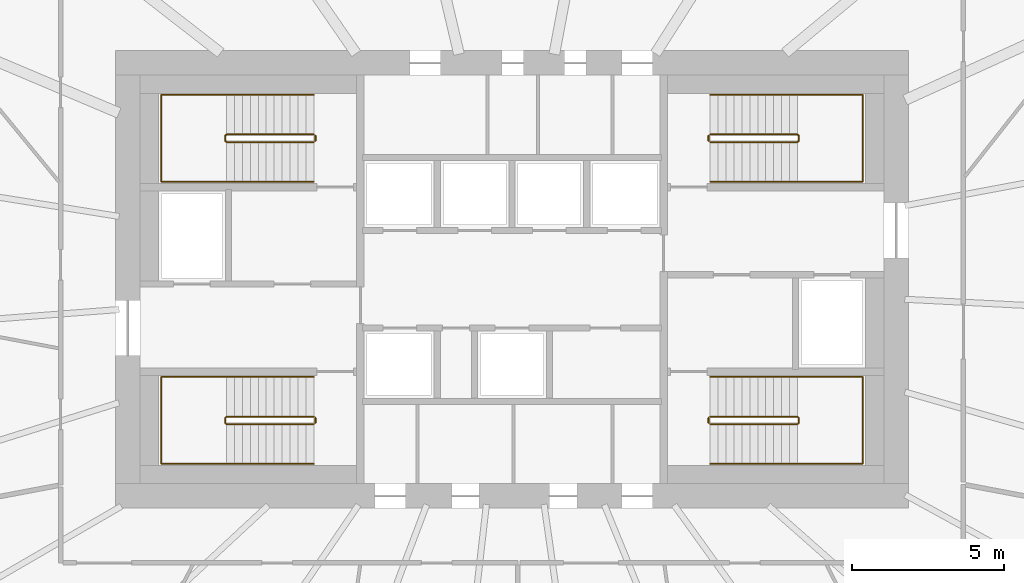
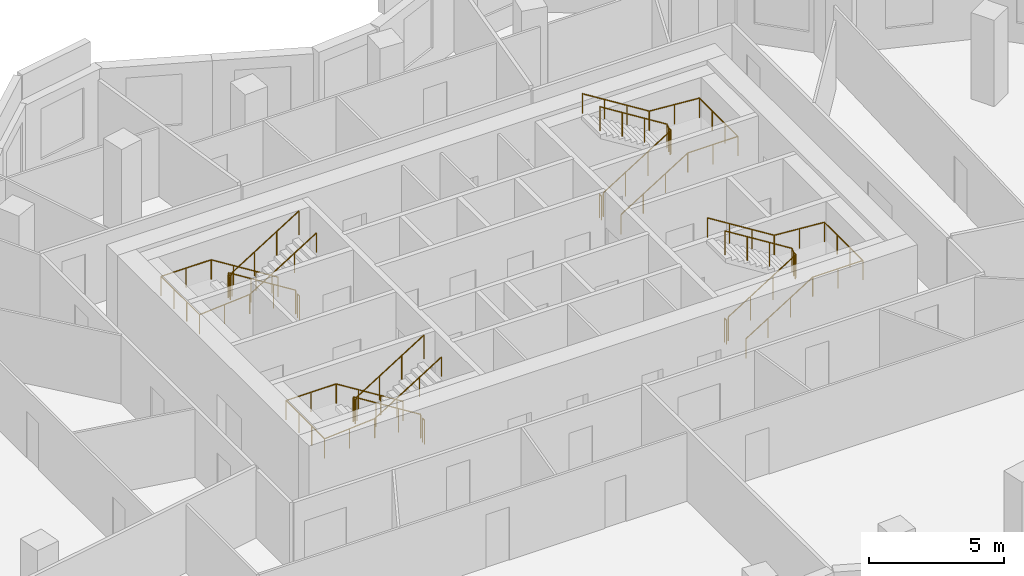
# One storey, part 9 of 9: 12 railings.
"""IFC4 building model written with IfcOpenShell, lengths in metres."""

import ifcopenshell
import ifcopenshell.guid

model = None  # the IFC model being written
_history = None  # IfcOwnerHistory: only IFC2X3 demands one
_inside = {}  # id of a spatial element -> (the spatial element, [elements in it])
_under = {}  # id of a project, library or spatial element -> (it, [spatial elements below it])
_declared = {}  # id of a project -> (the project, [libraries it declares])
_typed = {}  # id of a type object -> (the type object, [elements of that type])
_made_of = {}  # id of a material, layer set ... -> (it, [elements and type objects made of it])


def new_model(schema):
    """Start an empty IFC model of exactly this schema.

    Asked for "IFC4X3", IfcOpenShell would pick the latest addendum, in which some entities
    have other attributes; the version numbers below select the first issue.
    IFC2X3 requires an IfcOwnerHistory on every rooted entity: one is made here for all.
    """
    global model, _history
    if schema == "IFC4X3":
        model = ifcopenshell.file(schema_version=(4, 3, 0, 0))
    else:
        model = ifcopenshell.file(schema=schema)
    _inside.clear()
    _under.clear()
    _declared.clear()
    _typed.clear()
    _made_of.clear()
    _history = None
    if model.schema == "IFC2X3":
        org = make("IfcOrganization", Name="unknown")
        user = make(
            "IfcPersonAndOrganization",
            ThePerson=make("IfcPerson", FamilyName="unknown"),
            TheOrganization=org,
        )
        app = make(
            "IfcApplication",
            ApplicationDeveloper=org,
            Version="unknown",
            ApplicationFullName="unknown",
            ApplicationIdentifier="unknown",
        )
        _history = make(
            "IfcOwnerHistory",
            OwningUser=user,
            OwningApplication=app,
            ChangeAction="ADDED",
            CreationDate=0,
        )
    return model


def make(cls, **values):
    """One entity of the class cls with the attributes given. An attribute that is None is left unset."""
    return model.create_entity(
        cls, **{name: value for name, value in values.items() if value is not None}
    )


def rooted(cls, **values):
    """An entity with a GlobalId (a new one), such as an element, a storey or a relation."""
    return make(cls, GlobalId=ifcopenshell.guid.new(), OwnerHistory=_history, **values)


def si_unit(unit_type, name, prefix=None):
    """IfcSIUnit, for example si_unit("LENGTHUNIT", "METRE", prefix="MILLI")."""
    return make("IfcSIUnit", UnitType=unit_type, Prefix=prefix, Name=name)


def assignment(units):
    """IfcUnitAssignment: the units of a project."""
    return None if units is None else make("IfcUnitAssignment", Units=units)


def point(xyz):
    """IfcCartesianPoint."""
    return None if xyz is None else make("IfcCartesianPoint", Coordinates=xyz)


def direction(xyz):
    """IfcDirection."""
    return None if xyz is None else make("IfcDirection", DirectionRatios=xyz)


def frame(location, z_axis=None, x_axis=None):
    """IfcAxis2Placement3D, a coordinate frame: its origin and axes. An axis left out is left unset."""
    return make(
        "IfcAxis2Placement3D",
        Location=point(location),
        Axis=direction(z_axis),
        RefDirection=direction(x_axis),
    )


def frame_2d(location, x_axis=None):
    """IfcAxis2Placement2D, a coordinate frame in the plane: its origin and x axis."""
    return make(
        "IfcAxis2Placement2D", Location=point(location), RefDirection=direction(x_axis)
    )


def origin():
    """The frame at (0, 0, 0) with its axes left unset."""
    return frame((0.0, 0.0, 0.0))


def origin_2d():
    """The frame at (0, 0) in the plane with its x axis left unset."""
    return frame_2d((0.0, 0.0))


def place(relative_to, where):
    """IfcLocalPlacement: puts the frame where relative to a parent placement (None: the world)."""
    return make(
        "IfcLocalPlacement", PlacementRelTo=relative_to, RelativePlacement=where
    )


def context(
    kind, dimensions, precision=None, world=None, true_north=None, identifier=None
):
    """IfcGeometricRepresentationContext, for example the 3D "Model" context."""
    return make(
        "IfcGeometricRepresentationContext",
        ContextIdentifier=identifier,
        ContextType=kind,
        CoordinateSpaceDimension=dimensions,
        Precision=precision,
        WorldCoordinateSystem=world,
        TrueNorth=true_north,
    )


def subcontext(parent, identifier, kind, view, scale=None):
    """IfcGeometricRepresentationSubContext, for example "Body" below "Model"."""
    return make(
        "IfcGeometricRepresentationSubContext",
        ContextIdentifier=identifier,
        ContextType=kind,
        ParentContext=parent,
        TargetScale=scale,
        TargetView=view,
    )


def project(units=None, contexts=None):
    """IfcProject with its units and contexts."""
    return rooted(
        "IfcProject",
        Name="project",
        RepresentationContexts=contexts,
        UnitsInContext=assignment(units),
    )


def spatial(cls, under=None, at=None, **own):
    """A site, building, storey or space (cls), placed at a placement, below another one or the project."""
    s = rooted(cls, ObjectPlacement=at, **own)
    if under is not None:
        _under.setdefault(under.id(), (under, []))[1].append(s)
    return s


def profile(cls, at=None, kind="AREA", **sizes):
    """A parametric profile (cls). Its sizes go by their IFC names, for example OverallWidth=200.0."""
    return make(cls, ProfileType=kind, Position=at, **sizes)


def circle(**sizes):
    """IfcCircleProfileDef."""
    return profile("IfcCircleProfileDef", **sizes)


def extrude(swept, where, along, depth):
    """IfcExtrudedAreaSolid: the profile swept, set in the frame where, extruded along a direction by depth."""
    return make(
        "IfcExtrudedAreaSolid",
        SweptArea=swept,
        Position=where,
        ExtrudedDirection=direction(along),
        Depth=depth,
    )


def shape(context_of_items, identifier, shape_type, items):
    """IfcShapeRepresentation: the items that make up one representation, for example the "Body"."""
    return make(
        "IfcShapeRepresentation",
        ContextOfItems=context_of_items,
        RepresentationIdentifier=identifier,
        RepresentationType=shape_type,
        Items=items,
    )


def material(Name=None, Category=None):
    """IfcMaterial."""
    return make("IfcMaterial", Name=Name, Category=Category)


def made_of(thing, what):
    """Note that an element or type object is made of a material, layer set ...; save() writes the relation."""
    if what is not None:
        _made_of.setdefault(what.id(), (what, []))[1].append(thing)
    return thing


def type_object(cls, material=None, **own):
    """A type object (cls), such as IfcWallType, which elements share."""
    return made_of(rooted(cls, **own), material)


def element(
    cls,
    number,
    at=None,
    inside=None,
    cuts=None,
    type_object=None,
    material=None,
    context=None,
    identifier="Body",
    shape_type=None,
    held_by="IfcProductDefinitionShape",
    body=None,
    shapes=None,
    **own,
):
    """One element of the class cls, such as IfcWall. Its Tag is "e" and its number.

    at: its placement. inside: the storey or other place that contains it. cuts: it is an
    opening in that element (IfcRelVoidsElement). A single representation is given by context,
    identifier, shape_type and body (its items); several are given by shapes. held_by: the class
    of the entity that holds the representations. save() writes the other relations.
    """
    e = rooted(cls, Tag="e%d" % number, ObjectPlacement=at, **own)
    if body is not None:
        shapes = [shape(context, identifier, shape_type, body)]
    if shapes is not None:
        e.Representation = make(held_by, Representations=shapes)
    if inside is not None:
        _inside.setdefault(inside.id(), (inside, []))[1].append(e)
    if cuts is not None:
        rooted(
            "IfcRelVoidsElement", RelatingBuildingElement=cuts, RelatedOpeningElement=e
        )
    if type_object is not None:
        _typed.setdefault(type_object.id(), (type_object, []))[1].append(e)
    return made_of(e, material)


def aggregate(whole, parts):
    """IfcRelAggregates: a whole, such as a stair, and the parts it consists of."""
    return rooted("IfcRelAggregates", RelatingObject=whole, RelatedObjects=parts)


def save(model, path):
    """Write the relations noted so far, then the file.

    IfcRelAggregates (storeys below a building ...), IfcRelContainedInSpatialStructure (elements
    in a storey), IfcRelDefinesByType, IfcRelAssociatesMaterial and IfcRelDeclares: one each for
    every whole, place, type object, material and project.
    """
    for whole, parts in _under.values():
        aggregate(whole, parts)
    for where, things in _inside.values():
        rooted(
            "IfcRelContainedInSpatialStructure",
            RelatedElements=things,
            RelatingStructure=where,
        )
    for kind, things in _typed.values():
        rooted("IfcRelDefinesByType", RelatedObjects=things, RelatingType=kind)
    for what, things in _made_of.values():
        rooted("IfcRelAssociatesMaterial", RelatedObjects=things, RelatingMaterial=what)
    for by, libraries in _declared.values():
        rooted("IfcRelDeclares", RelatingContext=by, RelatedDefinitions=libraries)
    model.write(path)


model = new_model("IFC4")

# Units and contexts
model_context = context("Model", 3, precision=1e-05, world=origin(), true_north=direction((0.0, 1.0)))
body_context = subcontext(model_context, "Body", "Model", "MODEL_VIEW")
ifc_project = project(units=[si_unit("LENGTHUNIT", "METRE"), si_unit("AREAUNIT", "SQUARE_METRE"), si_unit("VOLUMEUNIT", "CUBIC_METRE"), si_unit("PLANEANGLEUNIT", "RADIAN"), si_unit("MASSUNIT", "GRAM", prefix="KILO")], contexts=[model_context])

# Site, building, storey
site_placement = place(None, origin())
site = spatial("IfcSite", under=ifc_project, at=site_placement, CompositionType="ELEMENT")
building_placement = place(site_placement, origin())
building = spatial("IfcBuilding", under=site, at=building_placement, Name="Rubra Terraces Tower", CompositionType="ELEMENT")
storey_placement = place(building_placement, frame((0.0, 0.0, 221.39990234375)))
storey = spatial("IfcBuildingStorey", under=building, at=storey_placement, Name="L54", CompositionType="ELEMENT", Elevation=221.39990234375)

# Railings
ifc_material = material(Name="Stainless steel", Category="steel")
railing_type_1 = type_object("IfcRailingType", Name="Core stair guard 1100", PredefinedType="GUARDRAIL", material=ifc_material)
railing_1_placement = place(storey_placement, frame((-6.5, 0.0, 0.16259765625)))
element("IfcRailing", 1, at=railing_1_placement, inside=storey, type_object=railing_type_1, Name="L54 stair S1 guard 1", PredefinedType="GUARDRAIL", context=body_context, shape_type="SweptSolid", body=[
    extrude(circle(Radius=0.02392578125, at=origin_2d()), frame((0.0, 0.0, 1.076171875), z_axis=(-0.847994237388, 0.0, 0.530005446535), x_axis=(0.0, -1.0, 0.0)), (0.0, 0.0, 1.0), 3.372802734375),
    extrude(circle(Radius=0.02392578125, at=origin_2d()), frame((-2.860107421875, 0.0, 2.86376953125), z_axis=(-0.705375805398, -0.708833529934, 0.0), x_axis=(0.708833529934, -0.705375805398, 0.0)), (0.0, 0.0, 1.0), 0.070556640625),
    extrude(circle(Radius=0.02392578125, at=origin_2d()), frame((-2.909912109375, -0.050048828125, 2.86376953125), z_axis=(0.0, -1.0, 0.0), x_axis=(1.0, 0.0, 0.0)), (0.0, 0.0, 1.0), 0.14990234375),
    extrude(circle(Radius=0.02392578125, at=origin_2d()), frame((-2.909912109375, -0.199951171875, 2.86376953125), z_axis=(0.281314826061, -0.282693820306, 0.917031173188), x_axis=(0.708833529934, 0.705375805398, 0.0)), (0.0, 0.0, 1.0), 0.177001953125),
    extrude(circle(Radius=0.02392578125, at=origin_2d()), frame((-2.860107421875, -0.25, 3.02587890625), z_axis=(0.847994237388, 0.0, 0.530005446535), x_axis=(0.0, 1.0, 0.0)), (0.0, 0.0, 1.0), 3.372802734375),
    extrude(circle(Radius=0.02099609375, at=origin_2d()), origin(), (0.0, 0.0, 1.0), 1.052001953125),
    extrude(circle(Radius=0.02099609375, at=origin_2d()), frame((-0.953369140625, 0.0, 0.595947265625)), (0.0, 0.0, 1.0), 1.052001953125),
    extrude(circle(Radius=0.02099609375, at=origin_2d()), frame((-1.90673828125, 0.0, 1.191650390625)), (0.0, 0.0, 1.0), 1.052001953125),
    extrude(circle(Radius=0.02099609375, at=origin_2d()), frame((-2.860107421875, 0.0, 1.78759765625)), (0.0, 0.0, 1.0), 1.052001953125),
    extrude(circle(Radius=0.02099609375, at=origin_2d()), frame((-2.909912109375, -0.050048828125, 1.78759765625)), (0.0, 0.0, 1.0), 1.052001953125),
    extrude(circle(Radius=0.02099609375, at=origin_2d()), frame((-2.909912109375, -0.199951171875, 1.78759765625)), (0.0, 0.0, 1.0), 1.052001953125),
    extrude(circle(Radius=0.02099609375, at=origin_2d()), frame((-2.860107421875, -0.25, 1.949951171875)), (0.0, 0.0, 1.0), 1.052001953125),
    extrude(circle(Radius=0.02099609375, at=origin_2d()), frame((-1.90673828125, -0.25, 2.5458984375)), (0.0, 0.0, 1.0), 1.052001953125),
    extrude(circle(Radius=0.02099609375, at=origin_2d()), frame((-0.953369140625, -0.25, 3.1416015625)), (0.0, 0.0, 1.0), 1.052001953125),
    extrude(circle(Radius=0.02099609375, at=origin_2d()), frame((0.0, -0.25, 3.737548828125)), (0.0, 0.0, 1.0), 1.052001953125),
])
railing_2_placement = place(storey_placement, frame((-6.449951171875, -0.050048828125, 0.0)))
element("IfcRailing", 2, at=railing_2_placement, inside=storey, type_object=railing_type_1, Name="L54 stair S1 guard 2", PredefinedType="GUARDRAIL", context=body_context, shape_type="SweptSolid", body=[
    extrude(circle(Radius=0.02392578125, at=origin_2d()), frame((0.0, 0.0, 1.076171875), z_axis=(0.0, -1.0, 0.0), x_axis=(1.0, 0.0, 0.0)), (0.0, 0.0, 1.0), 0.14990234375),
    extrude(circle(Radius=0.02099609375, at=origin_2d()), origin(), (0.0, 0.0, 1.0), 1.052001953125),
    extrude(circle(Radius=0.02099609375, at=origin_2d()), frame((0.0, -0.14990234375, 0.0)), (0.0, 0.0, 1.0), 1.052001953125),
])
railing_3_placement = place(storey_placement, frame((-6.5, 9.25, 0.16259765625)))
element("IfcRailing", 3, at=railing_3_placement, inside=storey, type_object=railing_type_1, Name="L54 stair S2 guard 1", PredefinedType="GUARDRAIL", context=body_context, shape_type="SweptSolid", body=[
    extrude(circle(Radius=0.02392578125, at=origin_2d()), frame((0.0, 0.0, 1.076171875), z_axis=(-0.847994237388, 0.0, 0.530005446535), x_axis=(0.0, -1.0, 0.0)), (0.0, 0.0, 1.0), 3.372802734375),
    extrude(circle(Radius=0.02392578125, at=origin_2d()), frame((-2.860107421875, 0.0, 2.86376953125), z_axis=(-0.705375805398, -0.708833529934, 0.0), x_axis=(0.708833529934, -0.705375805398, 0.0)), (0.0, 0.0, 1.0), 0.070556640625),
    extrude(circle(Radius=0.02392578125, at=origin_2d()), frame((-2.909912109375, -0.050048828125, 2.86376953125), z_axis=(0.0, -1.0, 0.0), x_axis=(1.0, 0.0, 0.0)), (0.0, 0.0, 1.0), 0.14990234375),
    extrude(circle(Radius=0.02392578125, at=origin_2d()), frame((-2.909912109375, -0.199951171875, 2.86376953125), z_axis=(0.281314826061, -0.282693820306, 0.917031173188), x_axis=(0.708833529934, 0.705375805398, 0.0)), (0.0, 0.0, 1.0), 0.177001953125),
    extrude(circle(Radius=0.02392578125, at=origin_2d()), frame((-2.860107421875, -0.25, 3.02587890625), z_axis=(0.847994237388, 0.0, 0.530005446535), x_axis=(0.0, 1.0, 0.0)), (0.0, 0.0, 1.0), 3.372802734375),
    extrude(circle(Radius=0.02099609375, at=origin_2d()), origin(), (0.0, 0.0, 1.0), 1.052001953125),
    extrude(circle(Radius=0.02099609375, at=origin_2d()), frame((-0.953369140625, 0.0, 0.595947265625)), (0.0, 0.0, 1.0), 1.052001953125),
    extrude(circle(Radius=0.02099609375, at=origin_2d()), frame((-1.90673828125, 0.0, 1.191650390625)), (0.0, 0.0, 1.0), 1.052001953125),
    extrude(circle(Radius=0.02099609375, at=origin_2d()), frame((-2.860107421875, 0.0, 1.78759765625)), (0.0, 0.0, 1.0), 1.052001953125),
    extrude(circle(Radius=0.02099609375, at=origin_2d()), frame((-2.909912109375, -0.050048828125, 1.78759765625)), (0.0, 0.0, 1.0), 1.052001953125),
    extrude(circle(Radius=0.02099609375, at=origin_2d()), frame((-2.909912109375, -0.199951171875, 1.78759765625)), (0.0, 0.0, 1.0), 1.052001953125),
    extrude(circle(Radius=0.02099609375, at=origin_2d()), frame((-2.860107421875, -0.25, 1.949951171875)), (0.0, 0.0, 1.0), 1.052001953125),
    extrude(circle(Radius=0.02099609375, at=origin_2d()), frame((-1.90673828125, -0.25, 2.5458984375)), (0.0, 0.0, 1.0), 1.052001953125),
    extrude(circle(Radius=0.02099609375, at=origin_2d()), frame((-0.953369140625, -0.25, 3.1416015625)), (0.0, 0.0, 1.0), 1.052001953125),
    extrude(circle(Radius=0.02099609375, at=origin_2d()), frame((0.0, -0.25, 3.737548828125)), (0.0, 0.0, 1.0), 1.052001953125),
])
railing_4_placement = place(storey_placement, frame((-6.449951171875, 9.199951171875, 0.0)))
element("IfcRailing", 4, at=railing_4_placement, inside=storey, type_object=railing_type_1, Name="L54 stair S2 guard 2", PredefinedType="GUARDRAIL", context=body_context, shape_type="SweptSolid", body=[
    extrude(circle(Radius=0.02392578125, at=origin_2d()), frame((0.0, 0.0, 1.076171875), z_axis=(0.0, -1.0, 0.0), x_axis=(1.0, 0.0, 0.0)), (0.0, 0.0, 1.0), 0.14990234375),
    extrude(circle(Radius=0.02099609375, at=origin_2d()), origin(), (0.0, 0.0, 1.0), 1.052001953125),
    extrude(circle(Radius=0.02099609375, at=origin_2d()), frame((0.0, -0.14990234375, 0.0)), (0.0, 0.0, 1.0), 1.052001953125),
])
railing_5_placement = place(storey_placement, frame((6.5, 9.0, 0.16259765625)))
element("IfcRailing", 5, at=railing_5_placement, inside=storey, type_object=railing_type_1, Name="L54 stair S3 guard 1", PredefinedType="GUARDRAIL", context=body_context, shape_type="SweptSolid", body=[
    extrude(circle(Radius=0.02392578125, at=origin_2d()), frame((0.0, 0.0, 1.076171875), z_axis=(0.847994237388, 0.0, 0.530005446535), x_axis=(0.0, 1.0, 0.0)), (0.0, 0.0, 1.0), 3.372802734375),
    extrude(circle(Radius=0.02392578125, at=origin_2d()), frame((2.860107421875, 0.0, 2.86376953125), z_axis=(0.705375805398, 0.708833529934, 0.0), x_axis=(-0.708833529934, 0.705375805398, 0.0)), (0.0, 0.0, 1.0), 0.070556640625),
    extrude(circle(Radius=0.02392578125, at=origin_2d()), frame((2.909912109375, 0.050048828125, 2.86376953125), z_axis=(0.0, 1.0, 0.0), x_axis=(-1.0, 0.0, 0.0)), (0.0, 0.0, 1.0), 0.14990234375),
    extrude(circle(Radius=0.02392578125, at=origin_2d()), frame((2.909912109375, 0.199951171875, 2.86376953125), z_axis=(-0.281314826061, 0.282693820306, 0.917031173188), x_axis=(-0.708833529934, -0.705375805398, 0.0)), (0.0, 0.0, 1.0), 0.177001953125),
    extrude(circle(Radius=0.02392578125, at=origin_2d()), frame((2.860107421875, 0.25, 3.02587890625), z_axis=(-0.847994237388, 0.0, 0.530005446535), x_axis=(0.0, -1.0, 0.0)), (0.0, 0.0, 1.0), 3.372802734375),
    extrude(circle(Radius=0.02099609375, at=origin_2d()), origin(), (0.0, 0.0, 1.0), 1.052001953125),
    extrude(circle(Radius=0.02099609375, at=origin_2d()), frame((0.953369140625, 0.0, 0.595947265625)), (0.0, 0.0, 1.0), 1.052001953125),
    extrude(circle(Radius=0.02099609375, at=origin_2d()), frame((1.90673828125, 0.0, 1.191650390625)), (0.0, 0.0, 1.0), 1.052001953125),
    extrude(circle(Radius=0.02099609375, at=origin_2d()), frame((2.860107421875, 0.0, 1.78759765625)), (0.0, 0.0, 1.0), 1.052001953125),
    extrude(circle(Radius=0.02099609375, at=origin_2d()), frame((2.909912109375, 0.050048828125, 1.78759765625)), (0.0, 0.0, 1.0), 1.052001953125),
    extrude(circle(Radius=0.02099609375, at=origin_2d()), frame((2.909912109375, 0.199951171875, 1.78759765625)), (0.0, 0.0, 1.0), 1.052001953125),
    extrude(circle(Radius=0.02099609375, at=origin_2d()), frame((2.860107421875, 0.25, 1.949951171875)), (0.0, 0.0, 1.0), 1.052001953125),
    extrude(circle(Radius=0.02099609375, at=origin_2d()), frame((1.90673828125, 0.25, 2.5458984375)), (0.0, 0.0, 1.0), 1.052001953125),
    extrude(circle(Radius=0.02099609375, at=origin_2d()), frame((0.953369140625, 0.25, 3.1416015625)), (0.0, 0.0, 1.0), 1.052001953125),
    extrude(circle(Radius=0.02099609375, at=origin_2d()), frame((0.0, 0.25, 3.737548828125)), (0.0, 0.0, 1.0), 1.052001953125),
])
railing_6_placement = place(storey_placement, frame((6.449951171875, 9.050048828125, 0.0)))
element("IfcRailing", 6, at=railing_6_placement, inside=storey, type_object=railing_type_1, Name="L54 stair S3 guard 2", PredefinedType="GUARDRAIL", context=body_context, shape_type="SweptSolid", body=[
    extrude(circle(Radius=0.02392578125, at=origin_2d()), frame((0.0, 0.0, 1.076171875), z_axis=(0.0, 1.0, 0.0), x_axis=(-1.0, 0.0, 0.0)), (0.0, 0.0, 1.0), 0.14990234375),
    extrude(circle(Radius=0.02099609375, at=origin_2d()), origin(), (0.0, 0.0, 1.0), 1.052001953125),
    extrude(circle(Radius=0.02099609375, at=origin_2d()), frame((0.0, 0.14990234375, 0.0)), (0.0, 0.0, 1.0), 1.052001953125),
])
railing_7_placement = place(storey_placement, frame((6.5, -0.25, 0.16259765625)))
element("IfcRailing", 7, at=railing_7_placement, inside=storey, type_object=railing_type_1, Name="L54 stair S4 guard 1", PredefinedType="GUARDRAIL", context=body_context, shape_type="SweptSolid", body=[
    extrude(circle(Radius=0.02392578125, at=origin_2d()), frame((0.0, 0.0, 1.076171875), z_axis=(0.847994237388, 0.0, 0.530005446535), x_axis=(0.0, 1.0, 0.0)), (0.0, 0.0, 1.0), 3.372802734375),
    extrude(circle(Radius=0.02392578125, at=origin_2d()), frame((2.860107421875, 0.0, 2.86376953125), z_axis=(0.705375805398, 0.708833529934, 0.0), x_axis=(-0.708833529934, 0.705375805398, 0.0)), (0.0, 0.0, 1.0), 0.070556640625),
    extrude(circle(Radius=0.02392578125, at=origin_2d()), frame((2.909912109375, 0.050048828125, 2.86376953125), z_axis=(0.0, 1.0, 0.0), x_axis=(-1.0, 0.0, 0.0)), (0.0, 0.0, 1.0), 0.14990234375),
    extrude(circle(Radius=0.02392578125, at=origin_2d()), frame((2.909912109375, 0.199951171875, 2.86376953125), z_axis=(-0.281314826061, 0.282693820306, 0.917031173188), x_axis=(-0.708833529934, -0.705375805398, 0.0)), (0.0, 0.0, 1.0), 0.177001953125),
    extrude(circle(Radius=0.02392578125, at=origin_2d()), frame((2.860107421875, 0.25, 3.02587890625), z_axis=(-0.847994237388, 0.0, 0.530005446535), x_axis=(0.0, -1.0, 0.0)), (0.0, 0.0, 1.0), 3.372802734375),
    extrude(circle(Radius=0.02099609375, at=origin_2d()), origin(), (0.0, 0.0, 1.0), 1.052001953125),
    extrude(circle(Radius=0.02099609375, at=origin_2d()), frame((0.953369140625, 0.0, 0.595947265625)), (0.0, 0.0, 1.0), 1.052001953125),
    extrude(circle(Radius=0.02099609375, at=origin_2d()), frame((1.90673828125, 0.0, 1.191650390625)), (0.0, 0.0, 1.0), 1.052001953125),
    extrude(circle(Radius=0.02099609375, at=origin_2d()), frame((2.860107421875, 0.0, 1.78759765625)), (0.0, 0.0, 1.0), 1.052001953125),
    extrude(circle(Radius=0.02099609375, at=origin_2d()), frame((2.909912109375, 0.050048828125, 1.78759765625)), (0.0, 0.0, 1.0), 1.052001953125),
    extrude(circle(Radius=0.02099609375, at=origin_2d()), frame((2.909912109375, 0.199951171875, 1.78759765625)), (0.0, 0.0, 1.0), 1.052001953125),
    extrude(circle(Radius=0.02099609375, at=origin_2d()), frame((2.860107421875, 0.25, 1.949951171875)), (0.0, 0.0, 1.0), 1.052001953125),
    extrude(circle(Radius=0.02099609375, at=origin_2d()), frame((1.90673828125, 0.25, 2.5458984375)), (0.0, 0.0, 1.0), 1.052001953125),
    extrude(circle(Radius=0.02099609375, at=origin_2d()), frame((0.953369140625, 0.25, 3.1416015625)), (0.0, 0.0, 1.0), 1.052001953125),
    extrude(circle(Radius=0.02099609375, at=origin_2d()), frame((0.0, 0.25, 3.737548828125)), (0.0, 0.0, 1.0), 1.052001953125),
])
railing_8_placement = place(storey_placement, frame((6.449951171875, -0.199951171875, 0.0)))
element("IfcRailing", 8, at=railing_8_placement, inside=storey, type_object=railing_type_1, Name="L54 stair S4 guard 2", PredefinedType="GUARDRAIL", context=body_context, shape_type="SweptSolid", body=[
    extrude(circle(Radius=0.02392578125, at=origin_2d()), frame((0.0, 0.0, 1.076171875), z_axis=(0.0, 1.0, 0.0), x_axis=(-1.0, 0.0, 0.0)), (0.0, 0.0, 1.0), 0.14990234375),
    extrude(circle(Radius=0.02099609375, at=origin_2d()), origin(), (0.0, 0.0, 1.0), 1.052001953125),
    extrude(circle(Radius=0.02099609375, at=origin_2d()), frame((0.0, 0.14990234375, 0.0)), (0.0, 0.0, 1.0), 1.052001953125),
])
railing_type_2 = type_object("IfcRailingType", Name="Core stair handrail 900", PredefinedType="HANDRAIL", material=ifc_material)
railing_9_placement = place(storey_placement, frame((-6.5, 1.300048828125, 0.16259765625)))
element("IfcRailing", 9, at=railing_9_placement, inside=storey, type_object=railing_type_2, Name="L54 stair S1 handrail 1", PredefinedType="HANDRAIL", context=body_context, shape_type="SweptSolid", body=[
    extrude(circle(Radius=0.02392578125, at=origin_2d()), frame((0.0, 0.0, 0.8759765625), z_axis=(-0.847994237388, 0.0, 0.530005446535), x_axis=(0.0, -1.0, 0.0)), (0.0, 0.0, 1.0), 3.372802734375),
    extrude(circle(Radius=0.02392578125, at=origin_2d()), frame((-2.860107421875, 0.0, 2.66357421875), z_axis=(-1.0, 0.0, 0.0), x_axis=(0.0, -1.0, 0.0)), (0.0, 0.0, 1.0), 2.139892578125),
    extrude(circle(Radius=0.02392578125, at=origin_2d()), frame((-5.0, 0.0, 2.66357421875), z_axis=(0.0, -1.0, 0.0), x_axis=(1.0, 0.0, 0.0)), (0.0, 0.0, 1.0), 2.85009765625),
    extrude(circle(Radius=0.02392578125, at=origin_2d()), frame((-5.0, -2.85009765625, 2.66357421875), z_axis=(0.9971342424, 0.0, 0.075652512401), x_axis=(0.0, 1.0, 0.0)), (0.0, 0.0, 1.0), 2.14599609375),
    extrude(circle(Radius=0.02392578125, at=origin_2d()), frame((-2.860107421875, -2.85009765625, 2.82568359375), z_axis=(0.847994237388, 0.0, 0.530005446535), x_axis=(0.0, 1.0, 0.0)), (0.0, 0.0, 1.0), 3.372802734375),
    extrude(circle(Radius=0.02099609375, at=origin_2d()), origin(), (0.0, 0.0, 1.0), 0.851806640625),
    extrude(circle(Radius=0.02099609375, at=origin_2d()), frame((-0.953369140625, 0.0, 0.595947265625)), (0.0, 0.0, 1.0), 0.851806640625),
    extrude(circle(Radius=0.02099609375, at=origin_2d()), frame((-1.90673828125, 0.0, 1.191650390625)), (0.0, 0.0, 1.0), 0.851806640625),
    extrude(circle(Radius=0.02099609375, at=origin_2d()), frame((-2.860107421875, 0.0, 1.78759765625)), (0.0, 0.0, 1.0), 0.851806640625),
    extrude(circle(Radius=0.02099609375, at=origin_2d()), frame((-3.93017578125, 0.0, 1.78759765625)), (0.0, 0.0, 1.0), 0.851806640625),
    extrude(circle(Radius=0.02099609375, at=origin_2d()), frame((-5.0, 0.0, 1.78759765625)), (0.0, 0.0, 1.0), 0.851806640625),
    extrude(circle(Radius=0.02099609375, at=origin_2d()), frame((-5.0, -0.949951171875, 1.78759765625)), (0.0, 0.0, 1.0), 0.851806640625),
    extrude(circle(Radius=0.02099609375, at=origin_2d()), frame((-5.0, -1.900146484375, 1.78759765625)), (0.0, 0.0, 1.0), 0.851806640625),
    extrude(circle(Radius=0.02099609375, at=origin_2d()), frame((-5.0, -2.85009765625, 1.78759765625)), (0.0, 0.0, 1.0), 0.851806640625),
    extrude(circle(Radius=0.02099609375, at=origin_2d()), frame((-3.93017578125, -2.85009765625, 1.86865234375)), (0.0, 0.0, 1.0), 0.851806640625),
    extrude(circle(Radius=0.02099609375, at=origin_2d()), frame((-2.860107421875, -2.85009765625, 1.949951171875)), (0.0, 0.0, 1.0), 0.851806640625),
    extrude(circle(Radius=0.02099609375, at=origin_2d()), frame((-1.90673828125, -2.85009765625, 2.5458984375)), (0.0, 0.0, 1.0), 0.851806640625),
    extrude(circle(Radius=0.02099609375, at=origin_2d()), frame((-0.953369140625, -2.85009765625, 3.1416015625)), (0.0, 0.0, 1.0), 0.851806640625),
    extrude(circle(Radius=0.02099609375, at=origin_2d()), frame((0.0, -2.85009765625, 3.737548828125)), (0.0, 0.0, 1.0), 0.851806640625),
])
railing_10_placement = place(storey_placement, frame((-6.5, 10.550048828125, 0.16259765625)))
element("IfcRailing", 10, at=railing_10_placement, inside=storey, type_object=railing_type_2, Name="L54 stair S2 handrail 1", PredefinedType="HANDRAIL", context=body_context, shape_type="SweptSolid", body=[
    extrude(circle(Radius=0.02392578125, at=origin_2d()), frame((0.0, 0.0, 0.8759765625), z_axis=(-0.847994237388, 0.0, 0.530005446535), x_axis=(0.0, -1.0, 0.0)), (0.0, 0.0, 1.0), 3.372802734375),
    extrude(circle(Radius=0.02392578125, at=origin_2d()), frame((-2.860107421875, 0.0, 2.66357421875), z_axis=(-1.0, 0.0, 0.0), x_axis=(0.0, -1.0, 0.0)), (0.0, 0.0, 1.0), 2.139892578125),
    extrude(circle(Radius=0.02392578125, at=origin_2d()), frame((-5.0, 0.0, 2.66357421875), z_axis=(0.0, -1.0, 0.0), x_axis=(1.0, 0.0, 0.0)), (0.0, 0.0, 1.0), 2.85009765625),
    extrude(circle(Radius=0.02392578125, at=origin_2d()), frame((-5.0, -2.85009765625, 2.66357421875), z_axis=(0.9971342424, 0.0, 0.075652512401), x_axis=(0.0, 1.0, 0.0)), (0.0, 0.0, 1.0), 2.14599609375),
    extrude(circle(Radius=0.02392578125, at=origin_2d()), frame((-2.860107421875, -2.85009765625, 2.82568359375), z_axis=(0.847994237388, 0.0, 0.530005446535), x_axis=(0.0, 1.0, 0.0)), (0.0, 0.0, 1.0), 3.372802734375),
    extrude(circle(Radius=0.02099609375, at=origin_2d()), origin(), (0.0, 0.0, 1.0), 0.851806640625),
    extrude(circle(Radius=0.02099609375, at=origin_2d()), frame((-0.953369140625, 0.0, 0.595947265625)), (0.0, 0.0, 1.0), 0.851806640625),
    extrude(circle(Radius=0.02099609375, at=origin_2d()), frame((-1.90673828125, 0.0, 1.191650390625)), (0.0, 0.0, 1.0), 0.851806640625),
    extrude(circle(Radius=0.02099609375, at=origin_2d()), frame((-2.860107421875, 0.0, 1.78759765625)), (0.0, 0.0, 1.0), 0.851806640625),
    extrude(circle(Radius=0.02099609375, at=origin_2d()), frame((-3.93017578125, 0.0, 1.78759765625)), (0.0, 0.0, 1.0), 0.851806640625),
    extrude(circle(Radius=0.02099609375, at=origin_2d()), frame((-5.0, 0.0, 1.78759765625)), (0.0, 0.0, 1.0), 0.851806640625),
    extrude(circle(Radius=0.02099609375, at=origin_2d()), frame((-5.0, -0.949951171875, 1.78759765625)), (0.0, 0.0, 1.0), 0.851806640625),
    extrude(circle(Radius=0.02099609375, at=origin_2d()), frame((-5.0, -1.900146484375, 1.78759765625)), (0.0, 0.0, 1.0), 0.851806640625),
    extrude(circle(Radius=0.02099609375, at=origin_2d()), frame((-5.0, -2.85009765625, 1.78759765625)), (0.0, 0.0, 1.0), 0.851806640625),
    extrude(circle(Radius=0.02099609375, at=origin_2d()), frame((-3.93017578125, -2.85009765625, 1.86865234375)), (0.0, 0.0, 1.0), 0.851806640625),
    extrude(circle(Radius=0.02099609375, at=origin_2d()), frame((-2.860107421875, -2.85009765625, 1.949951171875)), (0.0, 0.0, 1.0), 0.851806640625),
    extrude(circle(Radius=0.02099609375, at=origin_2d()), frame((-1.90673828125, -2.85009765625, 2.5458984375)), (0.0, 0.0, 1.0), 0.851806640625),
    extrude(circle(Radius=0.02099609375, at=origin_2d()), frame((-0.953369140625, -2.85009765625, 3.1416015625)), (0.0, 0.0, 1.0), 0.851806640625),
    extrude(circle(Radius=0.02099609375, at=origin_2d()), frame((0.0, -2.85009765625, 3.737548828125)), (0.0, 0.0, 1.0), 0.851806640625),
])
railing_11_placement = place(storey_placement, frame((6.5, 7.699951171875, 0.16259765625)))
element("IfcRailing", 11, at=railing_11_placement, inside=storey, type_object=railing_type_2, Name="L54 stair S3 handrail 1", PredefinedType="HANDRAIL", context=body_context, shape_type="SweptSolid", body=[
    extrude(circle(Radius=0.02392578125, at=origin_2d()), frame((0.0, 0.0, 0.8759765625), z_axis=(0.847994237388, 0.0, 0.530005446535), x_axis=(0.0, 1.0, 0.0)), (0.0, 0.0, 1.0), 3.372802734375),
    extrude(circle(Radius=0.02392578125, at=origin_2d()), frame((2.860107421875, 0.0, 2.66357421875), z_axis=(1.0, 0.0, 0.0), x_axis=(0.0, 1.0, 0.0)), (0.0, 0.0, 1.0), 2.139892578125),
    extrude(circle(Radius=0.02392578125, at=origin_2d()), frame((5.0, 0.0, 2.66357421875), z_axis=(0.0, 1.0, 0.0), x_axis=(-1.0, 0.0, 0.0)), (0.0, 0.0, 1.0), 2.85009765625),
    extrude(circle(Radius=0.02392578125, at=origin_2d()), frame((5.0, 2.85009765625, 2.66357421875), z_axis=(-0.9971342424, 0.0, 0.075652512401), x_axis=(0.0, -1.0, 0.0)), (0.0, 0.0, 1.0), 2.14599609375),
    extrude(circle(Radius=0.02392578125, at=origin_2d()), frame((2.860107421875, 2.85009765625, 2.82568359375), z_axis=(-0.847994237388, 0.0, 0.530005446535), x_axis=(0.0, -1.0, 0.0)), (0.0, 0.0, 1.0), 3.372802734375),
    extrude(circle(Radius=0.02099609375, at=origin_2d()), origin(), (0.0, 0.0, 1.0), 0.851806640625),
    extrude(circle(Radius=0.02099609375, at=origin_2d()), frame((0.953369140625, 0.0, 0.595947265625)), (0.0, 0.0, 1.0), 0.851806640625),
    extrude(circle(Radius=0.02099609375, at=origin_2d()), frame((1.90673828125, 0.0, 1.191650390625)), (0.0, 0.0, 1.0), 0.851806640625),
    extrude(circle(Radius=0.02099609375, at=origin_2d()), frame((2.860107421875, 0.0, 1.78759765625)), (0.0, 0.0, 1.0), 0.851806640625),
    extrude(circle(Radius=0.02099609375, at=origin_2d()), frame((3.93017578125, 0.0, 1.78759765625)), (0.0, 0.0, 1.0), 0.851806640625),
    extrude(circle(Radius=0.02099609375, at=origin_2d()), frame((5.0, 0.0, 1.78759765625)), (0.0, 0.0, 1.0), 0.851806640625),
    extrude(circle(Radius=0.02099609375, at=origin_2d()), frame((5.0, 0.949951171875, 1.78759765625)), (0.0, 0.0, 1.0), 0.851806640625),
    extrude(circle(Radius=0.02099609375, at=origin_2d()), frame((5.0, 1.900146484375, 1.78759765625)), (0.0, 0.0, 1.0), 0.851806640625),
    extrude(circle(Radius=0.02099609375, at=origin_2d()), frame((5.0, 2.85009765625, 1.78759765625)), (0.0, 0.0, 1.0), 0.851806640625),
    extrude(circle(Radius=0.02099609375, at=origin_2d()), frame((3.93017578125, 2.85009765625, 1.86865234375)), (0.0, 0.0, 1.0), 0.851806640625),
    extrude(circle(Radius=0.02099609375, at=origin_2d()), frame((2.860107421875, 2.85009765625, 1.949951171875)), (0.0, 0.0, 1.0), 0.851806640625),
    extrude(circle(Radius=0.02099609375, at=origin_2d()), frame((1.90673828125, 2.85009765625, 2.5458984375)), (0.0, 0.0, 1.0), 0.851806640625),
    extrude(circle(Radius=0.02099609375, at=origin_2d()), frame((0.953369140625, 2.85009765625, 3.1416015625)), (0.0, 0.0, 1.0), 0.851806640625),
    extrude(circle(Radius=0.02099609375, at=origin_2d()), frame((0.0, 2.85009765625, 3.737548828125)), (0.0, 0.0, 1.0), 0.851806640625),
])
railing_12_placement = place(storey_placement, frame((6.5, -1.550048828125, 0.16259765625)))
element("IfcRailing", 12, at=railing_12_placement, inside=storey, type_object=railing_type_2, Name="L54 stair S4 handrail 1", PredefinedType="HANDRAIL", context=body_context, shape_type="SweptSolid", body=[
    extrude(circle(Radius=0.02392578125, at=origin_2d()), frame((0.0, 0.0, 0.8759765625), z_axis=(0.847994237388, 0.0, 0.530005446535), x_axis=(0.0, 1.0, 0.0)), (0.0, 0.0, 1.0), 3.372802734375),
    extrude(circle(Radius=0.02392578125, at=origin_2d()), frame((2.860107421875, 0.0, 2.66357421875), z_axis=(1.0, 0.0, 0.0), x_axis=(0.0, 1.0, 0.0)), (0.0, 0.0, 1.0), 2.139892578125),
    extrude(circle(Radius=0.02392578125, at=origin_2d()), frame((5.0, 0.0, 2.66357421875), z_axis=(0.0, 1.0, 0.0), x_axis=(-1.0, 0.0, 0.0)), (0.0, 0.0, 1.0), 2.85009765625),
    extrude(circle(Radius=0.02392578125, at=origin_2d()), frame((5.0, 2.85009765625, 2.66357421875), z_axis=(-0.9971342424, 0.0, 0.075652512401), x_axis=(0.0, -1.0, 0.0)), (0.0, 0.0, 1.0), 2.14599609375),
    extrude(circle(Radius=0.02392578125, at=origin_2d()), frame((2.860107421875, 2.85009765625, 2.82568359375), z_axis=(-0.847994237388, 0.0, 0.530005446535), x_axis=(0.0, -1.0, 0.0)), (0.0, 0.0, 1.0), 3.372802734375),
    extrude(circle(Radius=0.02099609375, at=origin_2d()), origin(), (0.0, 0.0, 1.0), 0.851806640625),
    extrude(circle(Radius=0.02099609375, at=origin_2d()), frame((0.953369140625, 0.0, 0.595947265625)), (0.0, 0.0, 1.0), 0.851806640625),
    extrude(circle(Radius=0.02099609375, at=origin_2d()), frame((1.90673828125, 0.0, 1.191650390625)), (0.0, 0.0, 1.0), 0.851806640625),
    extrude(circle(Radius=0.02099609375, at=origin_2d()), frame((2.860107421875, 0.0, 1.78759765625)), (0.0, 0.0, 1.0), 0.851806640625),
    extrude(circle(Radius=0.02099609375, at=origin_2d()), frame((3.93017578125, 0.0, 1.78759765625)), (0.0, 0.0, 1.0), 0.851806640625),
    extrude(circle(Radius=0.02099609375, at=origin_2d()), frame((5.0, 0.0, 1.78759765625)), (0.0, 0.0, 1.0), 0.851806640625),
    extrude(circle(Radius=0.02099609375, at=origin_2d()), frame((5.0, 0.949951171875, 1.78759765625)), (0.0, 0.0, 1.0), 0.851806640625),
    extrude(circle(Radius=0.02099609375, at=origin_2d()), frame((5.0, 1.900146484375, 1.78759765625)), (0.0, 0.0, 1.0), 0.851806640625),
    extrude(circle(Radius=0.02099609375, at=origin_2d()), frame((5.0, 2.85009765625, 1.78759765625)), (0.0, 0.0, 1.0), 0.851806640625),
    extrude(circle(Radius=0.02099609375, at=origin_2d()), frame((3.93017578125, 2.85009765625, 1.86865234375)), (0.0, 0.0, 1.0), 0.851806640625),
    extrude(circle(Radius=0.02099609375, at=origin_2d()), frame((2.860107421875, 2.85009765625, 1.949951171875)), (0.0, 0.0, 1.0), 0.851806640625),
    extrude(circle(Radius=0.02099609375, at=origin_2d()), frame((1.90673828125, 2.85009765625, 2.5458984375)), (0.0, 0.0, 1.0), 0.851806640625),
    extrude(circle(Radius=0.02099609375, at=origin_2d()), frame((0.953369140625, 2.85009765625, 3.1416015625)), (0.0, 0.0, 1.0), 0.851806640625),
    extrude(circle(Radius=0.02099609375, at=origin_2d()), frame((0.0, 2.85009765625, 3.737548828125)), (0.0, 0.0, 1.0), 0.851806640625),
])

save(model, "model.ifc")
